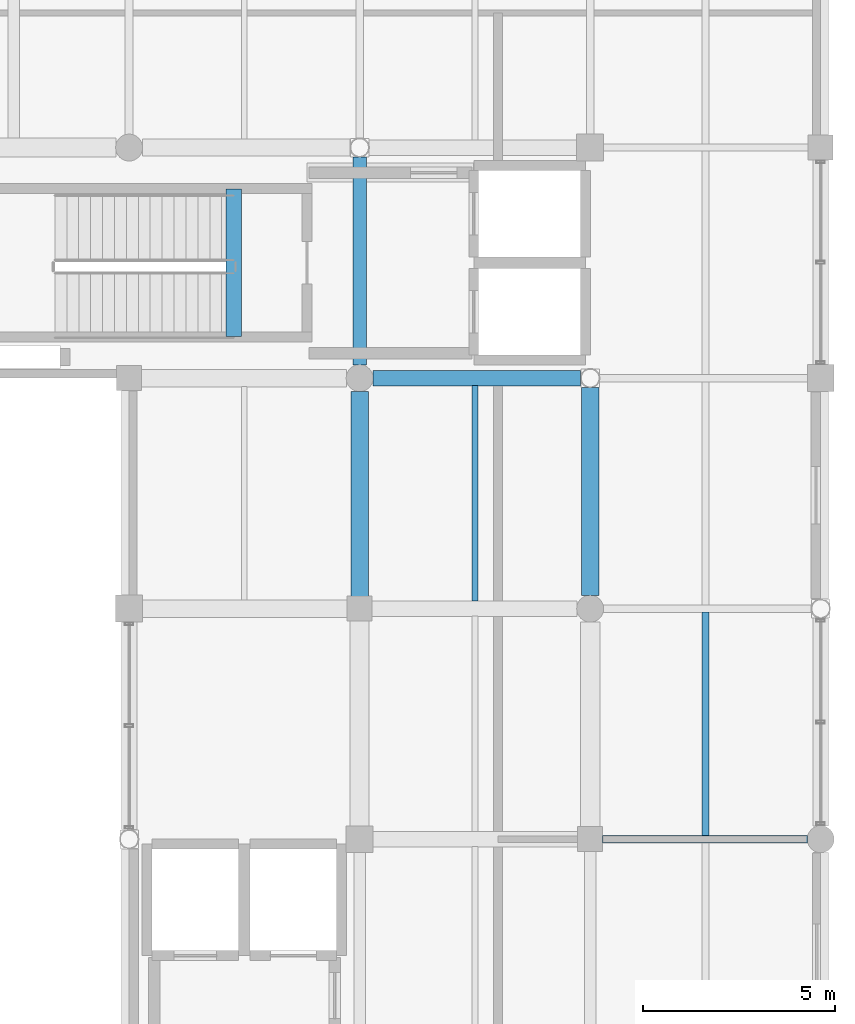
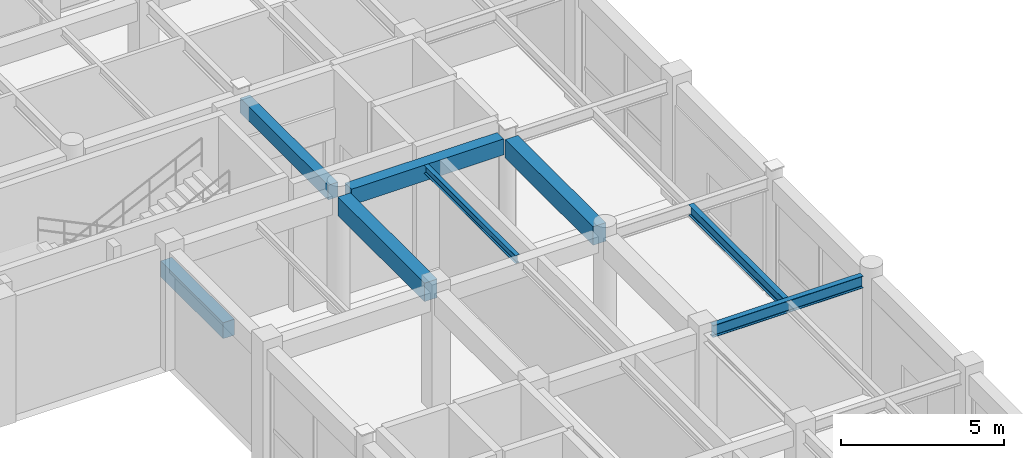
# One storey, part 82 of 123: 8 beams.
"""IFC4 building model written with IfcOpenShell, lengths in metres."""

import ifcopenshell
import ifcopenshell.guid

model = None  # the IFC model being written
_history = None  # IfcOwnerHistory: only IFC2X3 demands one
_inside = {}  # id of a spatial element -> (the spatial element, [elements in it])
_under = {}  # id of a project, library or spatial element -> (it, [spatial elements below it])
_declared = {}  # id of a project -> (the project, [libraries it declares])
_typed = {}  # id of a type object -> (the type object, [elements of that type])
_made_of = {}  # id of a material, layer set ... -> (it, [elements and type objects made of it])


def new_model(schema):
    """Start an empty IFC model of exactly this schema.

    Asked for "IFC4X3", IfcOpenShell would pick the latest addendum, in which some entities
    have other attributes; the version numbers below select the first issue.
    IFC2X3 requires an IfcOwnerHistory on every rooted entity: one is made here for all.
    """
    global model, _history
    if schema == "IFC4X3":
        model = ifcopenshell.file(schema_version=(4, 3, 0, 0))
    else:
        model = ifcopenshell.file(schema=schema)
    _inside.clear()
    _under.clear()
    _declared.clear()
    _typed.clear()
    _made_of.clear()
    _history = None
    if model.schema == "IFC2X3":
        org = make("IfcOrganization", Name="unknown")
        user = make(
            "IfcPersonAndOrganization",
            ThePerson=make("IfcPerson", FamilyName="unknown"),
            TheOrganization=org,
        )
        app = make(
            "IfcApplication",
            ApplicationDeveloper=org,
            Version="unknown",
            ApplicationFullName="unknown",
            ApplicationIdentifier="unknown",
        )
        _history = make(
            "IfcOwnerHistory",
            OwningUser=user,
            OwningApplication=app,
            ChangeAction="ADDED",
            CreationDate=0,
        )
    return model


def make(cls, **values):
    """One entity of the class cls with the attributes given. An attribute that is None is left unset."""
    return model.create_entity(
        cls, **{name: value for name, value in values.items() if value is not None}
    )


def rooted(cls, **values):
    """An entity with a GlobalId (a new one), such as an element, a storey or a relation."""
    return make(cls, GlobalId=ifcopenshell.guid.new(), OwnerHistory=_history, **values)


def si_unit(unit_type, name, prefix=None):
    """IfcSIUnit, for example si_unit("LENGTHUNIT", "METRE", prefix="MILLI")."""
    return make("IfcSIUnit", UnitType=unit_type, Prefix=prefix, Name=name)


def assignment(units):
    """IfcUnitAssignment: the units of a project."""
    return None if units is None else make("IfcUnitAssignment", Units=units)


def point(xyz):
    """IfcCartesianPoint."""
    return None if xyz is None else make("IfcCartesianPoint", Coordinates=xyz)


def direction(xyz):
    """IfcDirection."""
    return None if xyz is None else make("IfcDirection", DirectionRatios=xyz)


def frame(location, z_axis=None, x_axis=None):
    """IfcAxis2Placement3D, a coordinate frame: its origin and axes. An axis left out is left unset."""
    return make(
        "IfcAxis2Placement3D",
        Location=point(location),
        Axis=direction(z_axis),
        RefDirection=direction(x_axis),
    )


def frame_2d(location, x_axis=None):
    """IfcAxis2Placement2D, a coordinate frame in the plane: its origin and x axis."""
    return make(
        "IfcAxis2Placement2D", Location=point(location), RefDirection=direction(x_axis)
    )


def origin():
    """The frame at (0, 0, 0) with its axes left unset."""
    return frame((0.0, 0.0, 0.0))


def origin_2d():
    """The frame at (0, 0) in the plane with its x axis left unset."""
    return frame_2d((0.0, 0.0))


def place(relative_to, where):
    """IfcLocalPlacement: puts the frame where relative to a parent placement (None: the world)."""
    return make(
        "IfcLocalPlacement", PlacementRelTo=relative_to, RelativePlacement=where
    )


def context(
    kind, dimensions, precision=None, world=None, true_north=None, identifier=None
):
    """IfcGeometricRepresentationContext, for example the 3D "Model" context."""
    return make(
        "IfcGeometricRepresentationContext",
        ContextIdentifier=identifier,
        ContextType=kind,
        CoordinateSpaceDimension=dimensions,
        Precision=precision,
        WorldCoordinateSystem=world,
        TrueNorth=true_north,
    )


def subcontext(parent, identifier, kind, view, scale=None):
    """IfcGeometricRepresentationSubContext, for example "Body" below "Model"."""
    return make(
        "IfcGeometricRepresentationSubContext",
        ContextIdentifier=identifier,
        ContextType=kind,
        ParentContext=parent,
        TargetScale=scale,
        TargetView=view,
    )


def project(units=None, contexts=None):
    """IfcProject with its units and contexts."""
    return rooted(
        "IfcProject",
        Name="project",
        RepresentationContexts=contexts,
        UnitsInContext=assignment(units),
    )


def spatial(cls, under=None, at=None, **own):
    """A site, building, storey or space (cls), placed at a placement, below another one or the project."""
    s = rooted(cls, ObjectPlacement=at, **own)
    if under is not None:
        _under.setdefault(under.id(), (under, []))[1].append(s)
    return s


def profile(cls, at=None, kind="AREA", **sizes):
    """A parametric profile (cls). Its sizes go by their IFC names, for example OverallWidth=200.0."""
    return make(cls, ProfileType=kind, Position=at, **sizes)


def rectangle(**sizes):
    """IfcRectangleProfileDef."""
    return profile("IfcRectangleProfileDef", **sizes)


def i_section(**sizes):
    """IfcIShapeProfileDef."""
    return profile("IfcIShapeProfileDef", **sizes)


def extrude(swept, where, along, depth):
    """IfcExtrudedAreaSolid: the profile swept, set in the frame where, extruded along a direction by depth."""
    return make(
        "IfcExtrudedAreaSolid",
        SweptArea=swept,
        Position=where,
        ExtrudedDirection=direction(along),
        Depth=depth,
    )


def shape(context_of_items, identifier, shape_type, items):
    """IfcShapeRepresentation: the items that make up one representation, for example the "Body"."""
    return make(
        "IfcShapeRepresentation",
        ContextOfItems=context_of_items,
        RepresentationIdentifier=identifier,
        RepresentationType=shape_type,
        Items=items,
    )


def material(Name=None, Category=None):
    """IfcMaterial."""
    return make("IfcMaterial", Name=Name, Category=Category)


def material_profile(
    of_material, cross_section, Name=None, Category=None, Priority=None
):
    """IfcMaterialProfile: a cross section and its material."""
    return make(
        "IfcMaterialProfile",
        Name=Name,
        Material=of_material,
        Profile=cross_section,
        Priority=Priority,
        Category=Category,
    )


def profile_set(profiles, Name=None, composite=None):
    """IfcMaterialProfileSet."""
    return make(
        "IfcMaterialProfileSet",
        Name=Name,
        MaterialProfiles=profiles,
        CompositeProfile=composite,
    )


def made_of(thing, what):
    """Note that an element or type object is made of a material, layer set ...; save() writes the relation."""
    if what is not None:
        _made_of.setdefault(what.id(), (what, []))[1].append(thing)
    return thing


def type_object(cls, material=None, **own):
    """A type object (cls), such as IfcWallType, which elements share."""
    return made_of(rooted(cls, **own), material)


def element(
    cls,
    number,
    at=None,
    inside=None,
    cuts=None,
    type_object=None,
    material=None,
    context=None,
    identifier="Body",
    shape_type=None,
    held_by="IfcProductDefinitionShape",
    body=None,
    shapes=None,
    **own,
):
    """One element of the class cls, such as IfcWall. Its Tag is "e" and its number.

    at: its placement. inside: the storey or other place that contains it. cuts: it is an
    opening in that element (IfcRelVoidsElement). A single representation is given by context,
    identifier, shape_type and body (its items); several are given by shapes. held_by: the class
    of the entity that holds the representations. save() writes the other relations.
    """
    e = rooted(cls, Tag="e%d" % number, ObjectPlacement=at, **own)
    if body is not None:
        shapes = [shape(context, identifier, shape_type, body)]
    if shapes is not None:
        e.Representation = make(held_by, Representations=shapes)
    if inside is not None:
        _inside.setdefault(inside.id(), (inside, []))[1].append(e)
    if cuts is not None:
        rooted(
            "IfcRelVoidsElement", RelatingBuildingElement=cuts, RelatedOpeningElement=e
        )
    if type_object is not None:
        _typed.setdefault(type_object.id(), (type_object, []))[1].append(e)
    return made_of(e, material)


def aggregate(whole, parts):
    """IfcRelAggregates: a whole, such as a stair, and the parts it consists of."""
    return rooted("IfcRelAggregates", RelatingObject=whole, RelatedObjects=parts)


def save(model, path):
    """Write the relations noted so far, then the file.

    IfcRelAggregates (storeys below a building ...), IfcRelContainedInSpatialStructure (elements
    in a storey), IfcRelDefinesByType, IfcRelAssociatesMaterial and IfcRelDeclares: one each for
    every whole, place, type object, material and project.
    """
    for whole, parts in _under.values():
        aggregate(whole, parts)
    for where, things in _inside.values():
        rooted(
            "IfcRelContainedInSpatialStructure",
            RelatedElements=things,
            RelatingStructure=where,
        )
    for kind, things in _typed.values():
        rooted("IfcRelDefinesByType", RelatedObjects=things, RelatingType=kind)
    for what, things in _made_of.values():
        rooted("IfcRelAssociatesMaterial", RelatedObjects=things, RelatingMaterial=what)
    for by, libraries in _declared.values():
        rooted("IfcRelDeclares", RelatingContext=by, RelatedDefinitions=libraries)
    model.write(path)


model = new_model("IFC4")

# Units and contexts
model_context = context("Model", 3, precision=1e-05, world=origin(), true_north=direction((0.0, 1.0)))
body_context = subcontext(model_context, "Body", "Model", "MODEL_VIEW")
ifc_project = project(units=[si_unit("LENGTHUNIT", "METRE"), si_unit("AREAUNIT", "SQUARE_METRE"), si_unit("VOLUMEUNIT", "CUBIC_METRE"), si_unit("PLANEANGLEUNIT", "RADIAN"), si_unit("MASSUNIT", "GRAM", prefix="KILO"), si_unit("THERMODYNAMICTEMPERATUREUNIT", "KELVIN"), si_unit("POWERUNIT", "WATT")], contexts=[model_context])

# Site, building, storey
site_placement = place(None, origin())
site = spatial("IfcSite", under=ifc_project, at=site_placement, CompositionType="ELEMENT")
building_placement = place(site_placement, origin())
building = spatial("IfcBuilding", under=site, at=building_placement, Name="Phaisarnlok Congress Hotel", CompositionType="ELEMENT")
storey_placement = place(building_placement, frame((0.0, 0.0, 15.0)))
storey = spatial("IfcBuildingStorey", under=building, at=storey_placement, Name="L03", CompositionType="ELEMENT", Elevation=15.0)

# Beams
ifc_material_1 = material(Name="Concrete C40/50", Category="concrete")
ifc_material_profile_1 = material_profile(ifc_material_1, rectangle(XDim=0.35009765625, YDim=0.550048828125, at=origin_2d()), Name="RC 350x550")
ifc_profile_set_1 = profile_set([ifc_material_profile_1], Name="Concrete C40/50")
beam_type_1 = type_object("IfcBeamType", Name="BM-RC-350x550", PredefinedType="BEAM", material=ifc_profile_set_1)
beam_1_placement = place(storey_placement, frame((168.0, 108.344970703125, 4.175048828125), z_axis=(0.0, 1.0, 0.0), x_axis=(-1.0, 0.0, 0.0)))
element("IfcBeam", 1, at=beam_1_placement, inside=storey, type_object=beam_type_1, Name="Beam B-01", PredefinedType="BEAM", context=body_context, shape_type="SweptSolid", body=[
    extrude(rectangle(XDim=0.35009765625, YDim=0.550048828125, at=origin_2d()), origin(), (0.0, 0.0, 1.0), 5.406005859375),
])
ifc_material_profile_2 = material_profile(ifc_material_1, rectangle(XDim=0.39990234375, YDim=0.60009765625, at=origin_2d()), Name="RC 400x600")
ifc_profile_set_2 = profile_set([ifc_material_profile_2], Name="Concrete C40/50")
beam_type_2 = type_object("IfcBeamType", Name="BM-RC-400x600", PredefinedType="BEAM", material=ifc_profile_set_2)
beam_2_placement = place(storey_placement, frame((168.344970703125, 108.0, 4.14990234375), z_axis=(1.0, 0.0, 0.0), x_axis=(0.0, 1.0, 0.0)))
element("IfcBeam", 2, at=beam_2_placement, inside=storey, type_object=beam_type_2, Name="Beam B-02", PredefinedType="BEAM", context=body_context, shape_type="SweptSolid", body=[
    extrude(rectangle(XDim=0.39990234375, YDim=0.60009765625, at=origin_2d()), origin(), (0.0, 0.0, 1.0), 5.406005859375),
])
beam_3_placement = place(storey_placement, frame((164.719970703125, 109.080078125, -0.300048828125), z_axis=(0.0, 1.0, 0.0), x_axis=(-1.0, 0.0, 0.0)))
element("IfcBeam", 3, at=beam_3_placement, inside=storey, type_object=beam_type_2, Name="Stair landing header beam B-02 (CORE-1 L03)", PredefinedType="BEAM", context=body_context, shape_type="SweptSolid", body=[
    extrude(rectangle(XDim=0.39990234375, YDim=0.60009765625, at=origin_2d()), origin(), (0.0, 0.0, 1.0), 3.83984375),
])
ifc_material_profile_3 = material_profile(ifc_material_1, rectangle(XDim=0.449951171875, YDim=0.699951171875, at=origin_2d()), Name="RC 450x700")
ifc_profile_set_3 = profile_set([ifc_material_profile_3], Name="Concrete C40/50")
beam_type_3 = type_object("IfcBeamType", Name="BM-RC-450x700", PredefinedType="BEAM", material=ifc_profile_set_3)
beam_4_placement = place(storey_placement, frame((168.0, 102.320068359375, 4.10009765625), z_axis=(0.0, 1.0, 0.0), x_axis=(-1.0, 0.0, 0.0)))
element("IfcBeam", 4, at=beam_4_placement, inside=storey, type_object=beam_type_3, Name="Beam B-03", PredefinedType="BEAM", context=body_context, shape_type="SweptSolid", body=[
    extrude(rectangle(XDim=0.449951171875, YDim=0.699951171875, at=origin_2d()), origin(), (0.0, 0.0, 1.0), 5.3349609375),
])
beam_5_placement = place(storey_placement, frame((174.0, 102.344970703125, 4.10009765625), z_axis=(0.0, 1.0, 0.0), x_axis=(-1.0, 0.0, 0.0)))
element("IfcBeam", 5, at=beam_5_placement, inside=storey, type_object=beam_type_3, Name="Beam B-03", PredefinedType="BEAM", context=body_context, shape_type="SweptSolid", body=[
    extrude(rectangle(XDim=0.449951171875, YDim=0.699951171875, at=origin_2d()), origin(), (0.0, 0.0, 1.0), 5.406005859375),
])
ifc_material_2 = material(Name="Steel S355", Category="steel")
ifc_material_profile_4 = material_profile(ifc_material_2, i_section(OverallWidth=0.18994140625, OverallDepth=0.449951171875, WebThickness=0.009521484375, FlangeThickness=0.0146484375, FilletRadius=0.02099609375, at=origin_2d()), Name="IPE 450")
ifc_profile_set_4 = profile_set([ifc_material_profile_4], Name="Steel S355")
beam_type_4 = type_object("IfcBeamType", Name="BM-STL-IPE450", PredefinedType="BEAM", material=ifc_profile_set_4)
beam_6_placement = place(storey_placement, frame((174.320068359375, 96.0, 4.22509765625), z_axis=(1.0, 0.0, 0.0), x_axis=(0.0, 1.0, 0.0)))
element("IfcBeam", 6, at=beam_6_placement, inside=storey, type_object=beam_type_4, Name="Beam SB-01", PredefinedType="BEAM", context=body_context, shape_type="SweptSolid", body=[
    extrude(i_section(OverallWidth=0.18994140625, OverallDepth=0.449951171875, WebThickness=0.009521484375, FlangeThickness=0.0146484375, FilletRadius=0.02099609375, at=origin_2d()), origin(), (0.0, 0.0, 1.0), 5.3349609375),
])
ifc_material_profile_5 = material_profile(ifc_material_2, i_section(OverallWidth=0.14990234375, OverallDepth=0.300048828125, WebThickness=0.007080078125, FlangeThickness=0.0107421875, FilletRadius=0.014892578125, at=origin_2d()), Name="IPE 300")
ifc_profile_set_5 = profile_set([ifc_material_profile_5], Name="Steel S355")
beam_type_5 = type_object("IfcBeamType", Name="JS-STL-IPE300", PredefinedType="JOIST", material=ifc_profile_set_5)
beam_7_placement = place(storey_placement, frame((171.0, 102.195068359375, 4.300048828125), z_axis=(0.0, 1.0, 0.0), x_axis=(-1.0, 0.0, 0.0)))
element("IfcBeam", 7, at=beam_7_placement, inside=storey, type_object=beam_type_5, Name="Secondary floor joist J-03", PredefinedType="JOIST", context=body_context, shape_type="SweptSolid", body=[
    extrude(i_section(OverallWidth=0.14990234375, OverallDepth=0.300048828125, WebThickness=0.007080078125, FlangeThickness=0.0107421875, FilletRadius=0.014892578125, at=origin_2d()), origin(), (0.0, 0.0, 1.0), 5.60986328125),
])
ifc_material_profile_6 = material_profile(ifc_material_2, i_section(OverallWidth=0.179931640625, OverallDepth=0.39990234375, WebThickness=0.008544921875, FlangeThickness=0.013427734375, FilletRadius=0.02099609375, at=origin_2d()), Name="IPE 400")
ifc_profile_set_6 = profile_set([ifc_material_profile_6], Name="Steel S355")
beam_type_6 = type_object("IfcBeamType", Name="JS-STL-IPE400", PredefinedType="JOIST", material=ifc_profile_set_6)
beam_8_placement = place(storey_placement, frame((177.0, 96.090087890625, 4.25), z_axis=(0.0, 1.0, 0.0), x_axis=(-1.0, 0.0, 0.0)))
element("IfcBeam", 8, at=beam_8_placement, inside=storey, type_object=beam_type_6, Name="Secondary floor joist J-05", PredefinedType="JOIST", context=body_context, shape_type="SweptSolid", body=[
    extrude(i_section(OverallWidth=0.179931640625, OverallDepth=0.39990234375, WebThickness=0.008544921875, FlangeThickness=0.013427734375, FilletRadius=0.02099609375, at=origin_2d()), origin(), (0.0, 0.0, 1.0), 5.81982421875),
])

save(model, "model.ifc")
